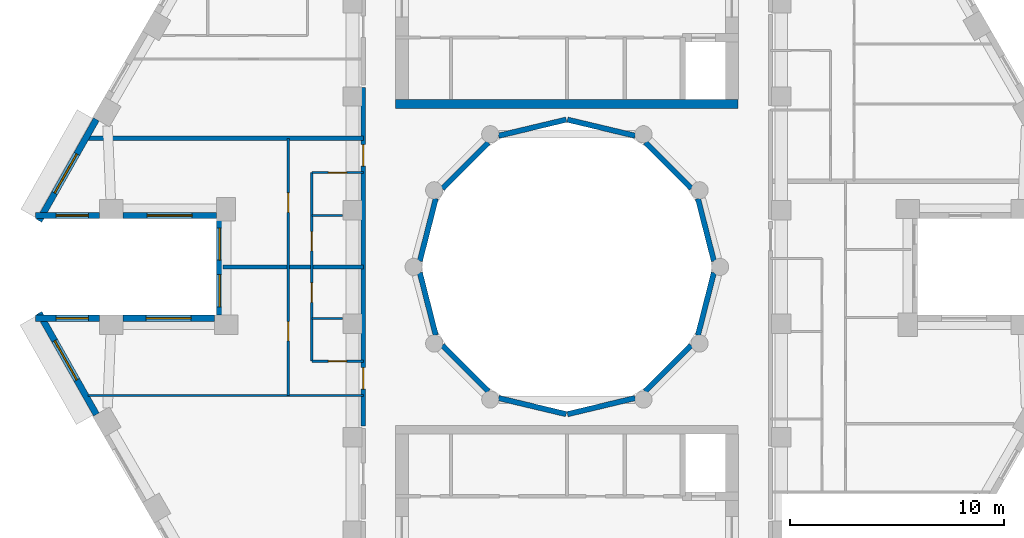
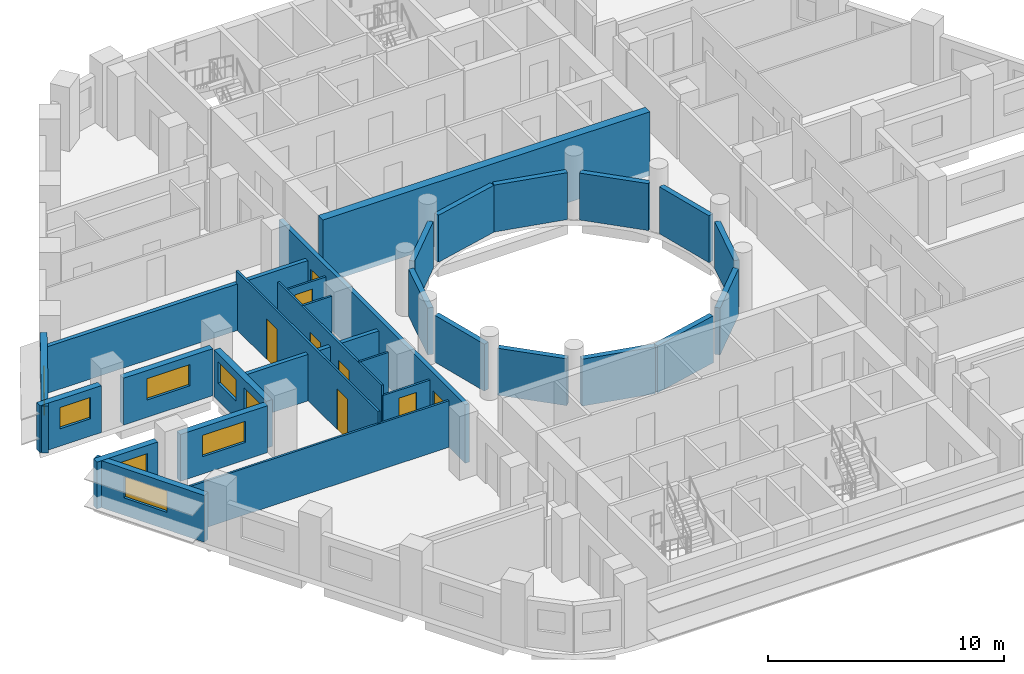
# One storey, part 4 of 12: 30 walls, 8 doors, 8 windows, 16 openings.
"""IFC4 building model written with IfcOpenShell, lengths in metres."""

from ifc_helpers import new_model, si_unit, direction, frame, frame_2d, origin, place, context, subcontext, project, spatial, rectangle, extrude, material, layer, layer_set, type_object, element, fill, save


model = new_model("IFC4")

# Units and contexts
model_context = context("Model", 3, precision=1e-05, world=origin(), true_north=direction((0.0, 1.0)))
body_context = subcontext(model_context, "Body", "Model", "MODEL_VIEW")
ifc_project = project(units=[si_unit("LENGTHUNIT", "METRE"), si_unit("AREAUNIT", "SQUARE_METRE"), si_unit("VOLUMEUNIT", "CUBIC_METRE"), si_unit("PLANEANGLEUNIT", "RADIAN"), si_unit("MASSUNIT", "GRAM", prefix="KILO")], contexts=[model_context])

# Site, building, storey
site_placement = place(None, origin())
site = spatial("IfcSite", under=ifc_project, at=site_placement, CompositionType="ELEMENT")
building_placement = place(site_placement, origin())
building = spatial("IfcBuilding", under=site, at=building_placement, Name="Nakaniwa Court", CompositionType="ELEMENT")
storey_placement = place(building_placement, frame((0.0, 0.0, 255.89990234375)))
storey = spatial("IfcBuildingStorey", under=building, at=storey_placement, Name="L67", CompositionType="ELEMENT", Elevation=255.89990234375)

# Wall, openings, doors
ifc_material_1 = material(Name="Acoustic double stud partition")
ifc_layer_1 = layer(ifc_material_1, 0.199951171875)
ifc_layer_set_1 = layer_set([ifc_layer_1], Name="Acoustic double stud partition")
wall_type_1 = type_object("IfcWallType", Name="Acoustic double stud partition 200", PredefinedType="PARTITIONING", material=ifc_layer_set_1)
wall_1_placement = place(storey_placement, frame((70.5, 72.576904296875, 0.0), z_axis=(0.0, 0.0, 1.0), x_axis=(0.0, 1.0, 0.0)))
wall_1 = element("IfcWall", 1, at=wall_1_placement, inside=storey, type_object=wall_type_1, Name="Partition PW-091", PredefinedType="PARTITIONING", context=body_context, shape_type="SweptSolid", body=[
    extrude(rectangle(XDim=15.7861328125, YDim=0.199951171875, at=frame_2d((7.89306640625, 0.0))), origin(), (0.0, 0.0, 1.0), 3.025146484375),
])
opening_1_placement = place(wall_1_placement, frame((1.722900390625, 0.0, 0.0)))
opening_1 = element("IfcOpeningElement", 2, at=opening_1_placement, cuts=wall_1, Name="Opening D-01-03", PredefinedType="OPENING", context=body_context, shape_type="SweptSolid", body=[
    extrude(rectangle(XDim=1.0, YDim=2.10009765625, at=frame_2d((0.5, 1.050048828125))), frame((0.0, 0.10986328125, 0.0), z_axis=(0.0, -1.0, 0.0), x_axis=(1.0, 0.0, 0.0)), (0.0, 0.0, 1.0), 0.219970703125),
])
opening_2_placement = place(wall_1_placement, frame((12.123046875, 0.0, 0.0)))
opening_2 = element("IfcOpeningElement", 3, at=opening_2_placement, cuts=wall_1, Name="Opening D-01-04", PredefinedType="OPENING", context=body_context, shape_type="SweptSolid", body=[
    extrude(rectangle(XDim=1.0, YDim=2.10009765625, at=frame_2d((0.5, 1.050048828125))), frame((0.0, 0.10986328125, 0.0), z_axis=(0.0, -1.0, 0.0), x_axis=(1.0, 0.0, 0.0)), (0.0, 0.0, 1.0), 0.219970703125),
])
ifc_material_2 = material(Name="Solid core timber door set, black veneer", Category="wood")
door_type_1 = type_object("IfcDoorType", Name="Flat entrance door 1000", OperationType="NOTDEFINED", PredefinedType="DOOR", material=ifc_material_2)
door_1_placement = place(opening_1_placement, origin())
door_1 = element("IfcDoor", 4, at=door_1_placement, inside=storey, type_object=door_type_1, Name="Door D-01-03 L67-047", OperationType="SINGLE_SWING_RIGHT", OverallHeight=2.10009765625, OverallWidth=1.0, PredefinedType="DOOR", context=body_context, shape_type="SweptSolid", body=[
    extrude(rectangle(XDim=1.0, YDim=2.10009765625, at=frame_2d((0.5, 1.050048828125))), frame((0.0, 0.02490234375, 0.0), z_axis=(0.0, -1.0, 0.0), x_axis=(1.0, 0.0, 0.0)), (0.0, 0.0, 1.0), 0.050048828125),
])
fill(opening_1, door_1)
door_2_placement = place(opening_2_placement, origin())
door_2 = element("IfcDoor", 5, at=door_2_placement, inside=storey, type_object=door_type_1, Name="Door D-01-04 L67-051", OperationType="SINGLE_SWING_RIGHT", OverallHeight=2.10009765625, OverallWidth=1.0, PredefinedType="DOOR", context=body_context, shape_type="SweptSolid", body=[
    extrude(rectangle(XDim=1.0, YDim=2.10009765625, at=frame_2d((0.5, 1.050048828125))), frame((0.0, 0.02490234375, 0.0), z_axis=(0.0, -1.0, 0.0), x_axis=(1.0, 0.0, 0.0)), (0.0, 0.0, 1.0), 0.050048828125),
])
fill(opening_2, door_2)

# Walls
wall_2_placement = place(storey_placement, frame((63.950439453125, 80.0, 0.0), z_axis=(0.0, 0.0, 1.0), x_axis=(1.0, 0.0, 0.0)))
element("IfcWall", 6, at=wall_2_placement, inside=storey, type_object=wall_type_1, Name="Partition PW-116", PredefinedType="PARTITIONING", context=body_context, shape_type="SweptSolid", body=[
    extrude(rectangle(XDim=6.549560546875, YDim=0.199951171875, at=frame_2d((3.27490234375, 0.0))), origin(), (0.0, 0.0, 1.0), 2.405029296875),
])
wall_3_placement = place(storey_placement, frame((57.656494140625, 86.0, 0.0), z_axis=(0.0, 0.0, 1.0), x_axis=(1.0, 0.0, 0.0)))
element("IfcWall", 7, at=wall_3_placement, inside=storey, type_object=wall_type_1, Name="Partition PW-120", PredefinedType="PARTITIONING", context=body_context, shape_type="SweptSolid", body=[
    extrude(rectangle(XDim=12.843505859375, YDim=0.199951171875, at=frame_2d((6.421875, 0.0))), origin(), (0.0, 0.0, 1.0), 2.405029296875),
])

# Wall, opening, window
ifc_material_3 = material(Name="Charcoal ceramic cladding")
ifc_layer_2 = layer(ifc_material_3, 0.02, Name="Ceramic cladding")
ifc_material_4 = material(Name="Ventilated air cavity")
ifc_layer_3 = layer(ifc_material_4, 0.04, ventilated=True, Name="Ventilated cavity")
ifc_material_5 = material(Name="Mineral wool insulation")
ifc_layer_4 = layer(ifc_material_5, 0.1, Name="Insulation")
ifc_material_6 = material(Name="Cement bonded sheathing board")
ifc_layer_5 = layer(ifc_material_6, 0.012, Name="Sheathing")
ifc_material_7 = material(Name="Cold-formed galvanised stud frame with mineral wool infill")
ifc_layer_6 = layer(ifc_material_7, 0.1, Name="Stud frame")
ifc_material_8 = material(Name="Fire-rated gypsum plasterboard lining")
ifc_layer_7 = layer(ifc_material_8, 0.028, Name="Lining")
ifc_layer_set_2 = layer_set([ifc_layer_2, ifc_layer_3, ifc_layer_4, ifc_layer_5, ifc_layer_6, ifc_layer_7], Name="Charcoal ceramic faced external wall system")
wall_type_2 = type_object("IfcWallType", Name="Black ceramic faced external wall 300", PredefinedType="SOLIDWALL", material=ifc_layer_set_2)
wall_4_placement = place(storey_placement, frame((58.048095703125, 86.886474609375, 0.0), z_axis=(0.0, 0.0, 1.0), x_axis=(-0.492080931903, -0.870549456641, 0.0)))
wall_4 = element("IfcWall", 8, at=wall_4_placement, inside=storey, type_object=wall_type_2, Name="L67 external wall 14", PredefinedType="SOLIDWALL", context=body_context, shape_type="SweptSolid", body=[
    extrude(rectangle(XDim=5.436767578125, YDim=0.300048828125, at=frame_2d((2.71826171875, 0.0))), origin(), (0.0, 0.0, 1.0), 2.425048828125),
])
opening_3_placement = place(wall_4_placement, frame((1.853759765625, 0.0, 0.89990234375)))
opening_3 = element("IfcOpeningElement", 9, at=opening_3_placement, cuts=wall_4, Name="Opening W7.15", PredefinedType="OPENING", context=body_context, shape_type="SweptSolid", body=[
    extrude(rectangle(XDim=2.10009765625, YDim=1.10009765625, at=frame_2d((1.050048828125, 0.550048828125))), frame((0.0, 0.159912109375, 0.0), z_axis=(0.0, -1.0, 0.0), x_axis=(1.0, 0.0, 0.0)), (0.0, 0.0, 1.0), 0.320068359375),
])
ifc_material_9 = material(Name="Black anodised aluminium frame with dark low-E laminated double glazing", Category="aluminium")
window_type_1 = type_object("IfcWindowType", Name="Dark glass window 2100x1100 sill 900", PartitioningType="SINGLE_PANEL", PredefinedType="WINDOW", material=ifc_material_9)
window_1_placement = place(opening_3_placement, origin())
window_1 = element("IfcWindow", 10, at=window_1_placement, inside=storey, type_object=window_type_1, Name="L67 living window 14-1", OverallHeight=1.10009765625, OverallWidth=2.10009765625, PartitioningType="SINGLE_PANEL", PredefinedType="WINDOW", context=body_context, shape_type="SweptSolid", body=[
    extrude(rectangle(XDim=2.10009765625, YDim=1.10009765625, at=frame_2d((1.050048828125, 0.550048828125))), frame((0.0, 0.030029296875, 0.0), z_axis=(0.0, -1.0, 0.0), x_axis=(1.0, 0.0, 0.0)), (0.0, 0.0, 1.0), 0.06005859375),
])
fill(opening_3, window_1)

wall_5_placement = place(storey_placement, frame((55.2021484375, 82.39990234375, 0.0), z_axis=(0.0, 0.0, 1.0), x_axis=(1.0, 0.0, 0.0)))
wall_5 = element("IfcWall", 11, at=wall_5_placement, inside=storey, type_object=wall_type_2, Name="L67 external wall 15", PredefinedType="SOLIDWALL", context=body_context, shape_type="SweptSolid", body=[
    extrude(rectangle(XDim=2.98779296875, YDim=0.300048828125, at=frame_2d((1.493896484375, 0.0))), origin(), (0.0, 0.0, 1.0), 2.425048828125),
])
opening_4_placement = place(wall_5_placement, frame((0.968994140625, 0.0, 0.89990234375)))
opening_4 = element("IfcOpeningElement", 12, at=opening_4_placement, cuts=wall_5, Name="Opening W5.16", PredefinedType="OPENING", context=body_context, shape_type="SweptSolid", body=[
    extrude(rectangle(XDim=1.5, YDim=1.10009765625, at=frame_2d((0.75, 0.550048828125))), frame((0.0, 0.159912109375, 0.0), z_axis=(0.0, -1.0, 0.0), x_axis=(1.0, 0.0, 0.0)), (0.0, 0.0, 1.0), 0.320068359375),
])
window_type_2 = type_object("IfcWindowType", Name="Dark glass window 1500x1100 sill 900", PartitioningType="SINGLE_PANEL", PredefinedType="WINDOW", material=ifc_material_9)
window_2_placement = place(opening_4_placement, origin())
window_2 = element("IfcWindow", 13, at=window_2_placement, inside=storey, type_object=window_type_2, Name="L67 living window 15-0", OverallHeight=1.10009765625, OverallWidth=1.5, PartitioningType="SINGLE_PANEL", PredefinedType="WINDOW", context=body_context, shape_type="SweptSolid", body=[
    extrude(rectangle(XDim=1.5, YDim=1.10009765625, at=frame_2d((0.75, 0.550048828125))), frame((0.0, 0.030029296875, 0.0), z_axis=(0.0, -1.0, 0.0), x_axis=(1.0, 0.0, 0.0)), (0.0, 0.0, 1.0), 0.06005859375),
])
fill(opening_4, window_2)

wall_6_placement = place(storey_placement, frame((59.281982421875, 82.39990234375, 0.0), z_axis=(0.0, 0.0, 1.0), x_axis=(1.0, 0.0, 0.0)))
wall_6 = element("IfcWall", 14, at=wall_6_placement, inside=storey, type_object=wall_type_2, Name="L67 external wall 16", PredefinedType="SOLIDWALL", context=body_context, shape_type="SweptSolid", body=[
    extrude(rectangle(XDim=4.37255859375, YDim=0.300048828125, at=frame_2d((2.186279296875, 0.0))), origin(), (0.0, 0.0, 1.0), 2.425048828125),
])
opening_5_placement = place(wall_6_placement, frame((1.13623046875, 0.0, 0.89990234375)))
opening_5 = element("IfcOpeningElement", 15, at=opening_5_placement, cuts=wall_6, Name="Opening W7.17", PredefinedType="OPENING", context=body_context, shape_type="SweptSolid", body=[
    extrude(rectangle(XDim=2.10009765625, YDim=1.10009765625, at=frame_2d((1.050048828125, 0.550048828125))), frame((0.0, 0.159912109375, 0.0), z_axis=(0.0, -1.0, 0.0), x_axis=(1.0, 0.0, 0.0)), (0.0, 0.0, 1.0), 0.320068359375),
])
window_3_placement = place(opening_5_placement, origin())
window_3 = element("IfcWindow", 16, at=window_3_placement, inside=storey, type_object=window_type_1, Name="L67 living window 16-0", OverallHeight=1.10009765625, OverallWidth=2.10009765625, PartitioningType="SINGLE_PANEL", PredefinedType="WINDOW", context=body_context, shape_type="SweptSolid", body=[
    extrude(rectangle(XDim=2.10009765625, YDim=1.10009765625, at=frame_2d((1.050048828125, 0.550048828125))), frame((0.0, 0.030029296875, 0.0), z_axis=(0.0, -1.0, 0.0), x_axis=(1.0, 0.0, 0.0)), (0.0, 0.0, 1.0), 0.06005859375),
])
fill(opening_5, window_3)

# Wall, openings, windows
wall_7_placement = place(storey_placement, frame((63.800537109375, 82.154052734375, 0.0), z_axis=(0.0, 0.0, 1.0), x_axis=(0.0, -1.0, 0.0)))
wall_7 = element("IfcWall", 17, at=wall_7_placement, inside=storey, type_object=wall_type_2, Name="L67 external wall 17", PredefinedType="SOLIDWALL", context=body_context, shape_type="SweptSolid", body=[
    extrude(rectangle(XDim=4.407958984375, YDim=0.300048828125, at=frame_2d((2.2041015625, 0.0))), origin(), (0.0, 0.0, 1.0), 2.425048828125),
])
opening_6_placement = place(wall_7_placement, frame((0.339111328125, 0.0, 0.89990234375)))
opening_6 = element("IfcOpeningElement", 18, at=opening_6_placement, cuts=wall_7, Name="Opening W5.18", PredefinedType="OPENING", context=body_context, shape_type="SweptSolid", body=[
    extrude(rectangle(XDim=1.5, YDim=1.10009765625, at=frame_2d((0.75, 0.550048828125))), frame((0.0, 0.159912109375, 0.0), z_axis=(0.0, -1.0, 0.0), x_axis=(1.0, 0.0, 0.0)), (0.0, 0.0, 1.0), 0.320068359375),
])
opening_7_placement = place(wall_7_placement, frame((2.51904296875, 0.0, 0.89990234375)))
opening_7 = element("IfcOpeningElement", 19, at=opening_7_placement, cuts=wall_7, Name="Opening W5.19", PredefinedType="OPENING", context=body_context, shape_type="SweptSolid", body=[
    extrude(rectangle(XDim=1.5, YDim=1.10009765625, at=frame_2d((0.75, 0.550048828125))), frame((0.0, 0.159912109375, 0.0), z_axis=(0.0, -1.0, 0.0), x_axis=(1.0, 0.0, 0.0)), (0.0, 0.0, 1.0), 0.320068359375),
])
window_4_placement = place(opening_6_placement, origin())
window_4 = element("IfcWindow", 20, at=window_4_placement, inside=storey, type_object=window_type_2, Name="L67 living window 17-0", OverallHeight=1.10009765625, OverallWidth=1.5, PartitioningType="SINGLE_PANEL", PredefinedType="WINDOW", context=body_context, shape_type="SweptSolid", body=[
    extrude(rectangle(XDim=1.5, YDim=1.10009765625, at=frame_2d((0.75, 0.550048828125))), frame((0.0, 0.030029296875, 0.0), z_axis=(0.0, -1.0, 0.0), x_axis=(1.0, 0.0, 0.0)), (0.0, 0.0, 1.0), 0.06005859375),
])
fill(opening_6, window_4)
window_5_placement = place(opening_7_placement, origin())
window_5 = element("IfcWindow", 21, at=window_5_placement, inside=storey, type_object=window_type_2, Name="L67 living window 17-1", OverallHeight=1.10009765625, OverallWidth=1.5, PartitioningType="SINGLE_PANEL", PredefinedType="WINDOW", context=body_context, shape_type="SweptSolid", body=[
    extrude(rectangle(XDim=1.5, YDim=1.10009765625, at=frame_2d((0.75, 0.550048828125))), frame((0.0, 0.030029296875, 0.0), z_axis=(0.0, -1.0, 0.0), x_axis=(1.0, 0.0, 0.0)), (0.0, 0.0, 1.0), 0.06005859375),
])
fill(opening_7, window_5)

# Wall, opening, window
wall_8_placement = place(storey_placement, frame((63.554443359375, 77.60009765625, 0.0), z_axis=(0.0, 0.0, 1.0), x_axis=(-1.0, 0.0, 0.0)))
wall_8 = element("IfcWall", 22, at=wall_8_placement, inside=storey, type_object=wall_type_2, Name="L67 external wall 18", PredefinedType="SOLIDWALL", context=body_context, shape_type="SweptSolid", body=[
    extrude(rectangle(XDim=4.2724609375, YDim=0.300048828125, at=frame_2d((2.13623046875, 0.0))), origin(), (0.0, 0.0, 1.0), 2.425048828125),
])
opening_8_placement = place(wall_8_placement, frame((1.086181640625, 0.0, 0.89990234375)))
opening_8 = element("IfcOpeningElement", 23, at=opening_8_placement, cuts=wall_8, Name="Opening W7.20", PredefinedType="OPENING", context=body_context, shape_type="SweptSolid", body=[
    extrude(rectangle(XDim=2.10009765625, YDim=1.10009765625, at=frame_2d((1.050048828125, 0.550048828125))), frame((0.0, 0.159912109375, 0.0), z_axis=(0.0, -1.0, 0.0), x_axis=(1.0, 0.0, 0.0)), (0.0, 0.0, 1.0), 0.320068359375),
])
window_6_placement = place(opening_8_placement, origin())
window_6 = element("IfcWindow", 24, at=window_6_placement, inside=storey, type_object=window_type_1, Name="L67 living window 18-0", OverallHeight=1.10009765625, OverallWidth=2.10009765625, PartitioningType="SINGLE_PANEL", PredefinedType="WINDOW", context=body_context, shape_type="SweptSolid", body=[
    extrude(rectangle(XDim=2.10009765625, YDim=1.10009765625, at=frame_2d((1.050048828125, 0.550048828125))), frame((0.0, 0.030029296875, 0.0), z_axis=(0.0, -1.0, 0.0), x_axis=(1.0, 0.0, 0.0)), (0.0, 0.0, 1.0), 0.06005859375),
])
fill(opening_8, window_6)

wall_9_placement = place(storey_placement, frame((58.18994140625, 77.60009765625, 0.0), z_axis=(0.0, 0.0, 1.0), x_axis=(-1.0, 0.0, 0.0)))
wall_9 = element("IfcWall", 25, at=wall_9_placement, inside=storey, type_object=wall_type_2, Name="L67 external wall 19", PredefinedType="SOLIDWALL", context=body_context, shape_type="SweptSolid", body=[
    extrude(rectangle(XDim=2.98779296875, YDim=0.300048828125, at=frame_2d((1.493896484375, 0.0))), origin(), (0.0, 0.0, 1.0), 2.425048828125),
])
opening_9_placement = place(wall_9_placement, frame((0.51904296875, 0.0, 0.89990234375)))
opening_9 = element("IfcOpeningElement", 26, at=opening_9_placement, cuts=wall_9, Name="Opening W5.21", PredefinedType="OPENING", context=body_context, shape_type="SweptSolid", body=[
    extrude(rectangle(XDim=1.5, YDim=1.10009765625, at=frame_2d((0.75, 0.550048828125))), frame((0.0, 0.159912109375, 0.0), z_axis=(0.0, -1.0, 0.0), x_axis=(1.0, 0.0, 0.0)), (0.0, 0.0, 1.0), 0.320068359375),
])
window_7_placement = place(opening_9_placement, origin())
window_7 = element("IfcWindow", 27, at=window_7_placement, inside=storey, type_object=window_type_2, Name="L67 living window 19-0", OverallHeight=1.10009765625, OverallWidth=1.5, PartitioningType="SINGLE_PANEL", PredefinedType="WINDOW", context=body_context, shape_type="SweptSolid", body=[
    extrude(rectangle(XDim=1.5, YDim=1.10009765625, at=frame_2d((0.75, 0.550048828125))), frame((0.0, 0.030029296875, 0.0), z_axis=(0.0, -1.0, 0.0), x_axis=(1.0, 0.0, 0.0)), (0.0, 0.0, 1.0), 0.06005859375),
])
fill(opening_9, window_7)

wall_10_placement = place(storey_placement, frame((55.372802734375, 77.846435546875, 0.0), z_axis=(0.0, 0.0, 1.0), x_axis=(0.492080931903, -0.870549456641, 0.0)))
wall_10 = element("IfcWall", 28, at=wall_10_placement, inside=storey, type_object=wall_type_2, Name="L67 external wall 20", PredefinedType="SOLIDWALL", context=body_context, shape_type="SweptSolid", body=[
    extrude(rectangle(XDim=5.436767578125, YDim=0.300048828125, at=frame_2d((2.71826171875, 0.0))), origin(), (0.0, 0.0, 1.0), 2.425048828125),
])
opening_10_placement = place(wall_10_placement, frame((1.483154296875, 0.0, 0.89990234375)))
opening_10 = element("IfcOpeningElement", 29, at=opening_10_placement, cuts=wall_10, Name="Opening W7.22", PredefinedType="OPENING", context=body_context, shape_type="SweptSolid", body=[
    extrude(rectangle(XDim=2.10009765625, YDim=1.10009765625, at=frame_2d((1.050048828125, 0.550048828125))), frame((0.0, 0.159912109375, 0.0), z_axis=(0.0, -1.0, 0.0), x_axis=(1.0, 0.0, 0.0)), (0.0, 0.0, 1.0), 0.320068359375),
])
window_8_placement = place(opening_10_placement, origin())
window_8 = element("IfcWindow", 30, at=window_8_placement, inside=storey, type_object=window_type_1, Name="L67 living window 20-0", OverallHeight=1.10009765625, OverallWidth=2.10009765625, PartitioningType="SINGLE_PANEL", PredefinedType="WINDOW", context=body_context, shape_type="SweptSolid", body=[
    extrude(rectangle(XDim=2.10009765625, YDim=1.10009765625, at=frame_2d((1.050048828125, 0.550048828125))), frame((0.0, 0.030029296875, 0.0), z_axis=(0.0, -1.0, 0.0), x_axis=(1.0, 0.0, 0.0)), (0.0, 0.0, 1.0), 0.06005859375),
])
fill(opening_10, window_8)

# Walls
ifc_layer_8 = layer(ifc_material_3, 0.02, Name="Ceramic cladding")
ifc_layer_9 = layer(ifc_material_4, 0.04, ventilated=True, Name="Ventilated cavity")
ifc_layer_10 = layer(ifc_material_5, 0.075, Name="Insulation")
ifc_layer_11 = layer(ifc_material_6, 0.012, Name="Sheathing")
ifc_layer_12 = layer(ifc_material_7, 0.075, Name="Stud frame")
ifc_layer_13 = layer(ifc_material_8, 0.028, Name="Lining")
ifc_layer_set_3 = layer_set([ifc_layer_8, ifc_layer_9, ifc_layer_10, ifc_layer_11, ifc_layer_12, ifc_layer_13], Name="Charcoal ceramic faced external wall system")
wall_type_3 = type_object("IfcWallType", Name="Charcoal ceramic faced well wall 250", PredefinedType="SOLIDWALL", material=ifc_layer_set_3)
wall_11_placement = place(storey_placement, frame((86.8603515625, 79.72998046875, 0.0), z_axis=(0.0, 0.0, 1.0), x_axis=(-0.247055971283, -0.969001211069, 0.0)))
element("IfcWall", 31, at=wall_11_placement, inside=storey, type_object=wall_type_3, Name="L67 external wall 36", PredefinedType="SOLIDWALL", context=body_context, shape_type="SweptSolid", body=[
    extrude(rectangle(XDim=3.010009765625, YDim=0.25, at=frame_2d((1.5048828125, 0.0))), origin(), (0.0, 0.0, 1.0), 2.425048828125),
])
wall_12_placement = place(storey_placement, frame((85.8056640625, 76.339111328125, 0.0), z_axis=(0.0, 0.0, 1.0), x_axis=(-0.707106781187, -0.707106781187, 0.0)))
element("IfcWall", 32, at=wall_12_placement, inside=storey, type_object=wall_type_3, Name="L67 external wall 37", PredefinedType="SOLIDWALL", context=body_context, shape_type="SweptSolid", body=[
    extrude(rectangle(XDim=3.033203125, YDim=0.25, at=frame_2d((1.5166015625, 0.0))), origin(), (0.0, 0.0, 1.0), 2.425048828125),
])
for number, where, z_axis, x_axis, name in (
    (33, (83.186279296875, 73.880615234375, 0.0), (0.0, 0.0, 1.0), (-0.972773113459, -0.231759508395, 0.0), "L67 external wall 38"),
    (34, (79.970947265625, 73.12841796875, 0.0), (0.0, 0.0, 1.0), (-0.972773113459, 0.231759508395, 0.0), "L67 external wall 39"),
):
    element("IfcWall", number, at=place(storey_placement, frame(where, z_axis=z_axis, x_axis=x_axis)), inside=storey, type_object=wall_type_3, Name=name, PredefinedType="SOLIDWALL", context=body_context, shape_type="SweptSolid", body=[
        extrude(rectangle(XDim=3.24560546875, YDim=0.25, at=frame_2d((1.622802734375, 0.0))), origin(), (0.0, 0.0, 1.0), 2.425048828125),
    ])
wall_13_placement = place(storey_placement, frame((76.339111328125, 74.1943359375, 0.0), z_axis=(0.0, 0.0, 1.0), x_axis=(-0.707106781187, 0.707106781187, 0.0)))
element("IfcWall", 35, at=wall_13_placement, inside=storey, type_object=wall_type_3, Name="L67 external wall 40", PredefinedType="SOLIDWALL", context=body_context, shape_type="SweptSolid", body=[
    extrude(rectangle(XDim=3.033203125, YDim=0.25, at=frame_2d((1.5166015625, 0.0))), origin(), (0.0, 0.0, 1.0), 2.425048828125),
])
for number, where, z_axis, x_axis, name in (
    (36, (73.88330078125, 76.813232421875, 0.0), (0.0, 0.0, 1.0), (-0.247055971283, 0.969001211069, 0.0), "L67 external wall 41"),
    (37, (73.1396484375, 80.27001953125, 0.0), (0.0, 0.0, 1.0), (0.247055971283, 0.969001211069, 0.0), "L67 external wall 42"),
):
    element("IfcWall", number, at=place(storey_placement, frame(where, z_axis=z_axis, x_axis=x_axis)), inside=storey, type_object=wall_type_3, Name=name, PredefinedType="SOLIDWALL", context=body_context, shape_type="SweptSolid", body=[
        extrude(rectangle(XDim=3.010009765625, YDim=0.25, at=frame_2d((1.5048828125, 0.0))), origin(), (0.0, 0.0, 1.0), 2.425048828125),
    ])
wall_14_placement = place(storey_placement, frame((74.1943359375, 83.660888671875, 0.0), z_axis=(0.0, 0.0, 1.0), x_axis=(0.707106781187, 0.707106781187, 0.0)))
element("IfcWall", 38, at=wall_14_placement, inside=storey, type_object=wall_type_3, Name="L67 external wall 43", PredefinedType="SOLIDWALL", context=body_context, shape_type="SweptSolid", body=[
    extrude(rectangle(XDim=3.033203125, YDim=0.25, at=frame_2d((1.5166015625, 0.0))), origin(), (0.0, 0.0, 1.0), 2.425048828125),
])
for number, where, z_axis, x_axis, name in (
    (39, (76.813720703125, 86.119384765625, 0.0), (0.0, 0.0, 1.0), (0.972773113459, 0.231759508395, 0.0), "L67 external wall 44"),
    (40, (80.029052734375, 86.87158203125, 0.0), (0.0, 0.0, 1.0), (0.972773113459, -0.231759508395, 0.0), "L67 external wall 45"),
):
    element("IfcWall", number, at=place(storey_placement, frame(where, z_axis=z_axis, x_axis=x_axis)), inside=storey, type_object=wall_type_3, Name=name, PredefinedType="SOLIDWALL", context=body_context, shape_type="SweptSolid", body=[
        extrude(rectangle(XDim=3.24560546875, YDim=0.25, at=frame_2d((1.622802734375, 0.0))), origin(), (0.0, 0.0, 1.0), 2.425048828125),
    ])
wall_15_placement = place(storey_placement, frame((83.660888671875, 85.8056640625, 0.0), z_axis=(0.0, 0.0, 1.0), x_axis=(0.707106781187, -0.707106781187, 0.0)))
element("IfcWall", 41, at=wall_15_placement, inside=storey, type_object=wall_type_3, Name="L67 external wall 46", PredefinedType="SOLIDWALL", context=body_context, shape_type="SweptSolid", body=[
    extrude(rectangle(XDim=3.033203125, YDim=0.25, at=frame_2d((1.5166015625, 0.0))), origin(), (0.0, 0.0, 1.0), 2.425048828125),
])
wall_16_placement = place(storey_placement, frame((86.11669921875, 83.186767578125, 0.0), z_axis=(0.0, 0.0, 1.0), x_axis=(0.247055971283, -0.969001211069, 0.0)))
element("IfcWall", 42, at=wall_16_placement, inside=storey, type_object=wall_type_3, Name="L67 external wall 47", PredefinedType="SOLIDWALL", context=body_context, shape_type="SweptSolid", body=[
    extrude(rectangle(XDim=3.010009765625, YDim=0.25, at=frame_2d((1.5048828125, 0.0))), origin(), (0.0, 0.0, 1.0), 2.425048828125),
])
ifc_material_10 = material(Name="Concrete C80/100", Category="concrete")
ifc_layer_14 = layer(ifc_material_10, 0.39990234375)
ifc_layer_set_4 = layer_set([ifc_layer_14], Name="Concrete C80/100")
wall_type_4 = type_object("IfcWallType", Name="Concrete core well wall 400 C80", PredefinedType="SHEAR", material=ifc_layer_set_4)
wall_17_placement = place(storey_placement, frame((72.00390625, 87.60009765625, -0.27490234375), z_axis=(0.0, 0.0, 1.0), x_axis=(1.0, 0.0, 0.0)))
element("IfcWall", 43, at=wall_17_placement, inside=storey, type_object=wall_type_4, Name="Core wall SW-125", PredefinedType="SHEAR", context=body_context, shape_type="SweptSolid", body=[
    extrude(rectangle(XDim=15.9921875, YDim=0.39990234375, at=frame_2d((7.99609375, 0.0))), origin(), (0.0, 0.0, 1.0), 3.300048828125),
])
ifc_material_11 = material(Name="Single stud plasterboard partition")
ifc_layer_15 = layer(ifc_material_11, 0.10009765625)
ifc_layer_set_5 = layer_set([ifc_layer_15], Name="Single stud plasterboard partition")
wall_type_5 = type_object("IfcWallType", Name="Single stud plasterboard partition 100", PredefinedType="PARTITIONING", material=ifc_layer_set_5)
wall_18_placement = place(storey_placement, frame((57.656494140625, 74.0, 0.0), z_axis=(0.0, 0.0, 1.0), x_axis=(1.0, 0.0, 0.0)))
element("IfcWall", 44, at=wall_18_placement, inside=storey, type_object=wall_type_5, Name="Partition PW-112", PredefinedType="PARTITIONING", context=body_context, shape_type="SweptSolid", body=[
    extrude(rectangle(XDim=12.843505859375, YDim=0.10009765625, at=frame_2d((6.421875, 0.0))), origin(), (0.0, 0.0, 1.0), 2.405029296875),
])
wall_19_placement = place(storey_placement, frame((68.10009765625, 77.60009765625, 0.0), z_axis=(0.0, 0.0, 1.0), x_axis=(1.0, 0.0, 0.0)))
element("IfcWall", 45, at=wall_19_placement, inside=storey, type_object=wall_type_5, Name="Partition PW-113", PredefinedType="PARTITIONING", context=body_context, shape_type="SweptSolid", body=[
    extrude(rectangle(XDim=1.429931640625, YDim=0.10009765625, at=frame_2d((0.71484375, 0.0))), origin(), (0.0, 0.0, 1.0), 3.025146484375),
])

# Wall, opening, door
wall_20_placement = place(storey_placement, frame((68.10009765625, 75.60009765625, 0.0), z_axis=(0.0, 0.0, 1.0), x_axis=(1.0, 0.0, 0.0)))
wall_20 = element("IfcWall", 46, at=wall_20_placement, inside=storey, type_object=wall_type_5, Name="Partition PW-114", PredefinedType="PARTITIONING", context=body_context, shape_type="SweptSolid", body=[
    extrude(rectangle(XDim=2.39990234375, YDim=0.10009765625, at=frame_2d((1.199951171875, 0.0))), origin(), (0.0, 0.0, 1.0), 2.505126953125),
])
opening_11_placement = place(wall_20_placement, frame((0.77490234375, 0.0, 0.0)))
opening_11 = element("IfcOpeningElement", 47, at=opening_11_placement, cuts=wall_20, Name="Opening D-03-04", PredefinedType="OPENING", context=body_context, shape_type="SweptSolid", body=[
    extrude(rectangle(XDim=0.85009765625, YDim=2.10009765625, at=frame_2d((0.425048828125, 1.050048828125))), frame((0.0, 0.06005859375, 0.0), z_axis=(0.0, -1.0, 0.0), x_axis=(1.0, 0.0, 0.0)), (0.0, 0.0, 1.0), 0.1201171875),
])
ifc_material_12 = material(Name="Moisture sealed timber door set", Category="wood")
door_type_2 = type_object("IfcDoorType", Name="Bathroom door 850", OperationType="NOTDEFINED", PredefinedType="DOOR", material=ifc_material_12)
door_3_placement = place(opening_11_placement, origin())
door_3 = element("IfcDoor", 48, at=door_3_placement, inside=storey, type_object=door_type_2, Name="Door D-03-04 L67-048", OperationType="SINGLE_SWING_LEFT", OverallHeight=2.10009765625, OverallWidth=0.85009765625, PredefinedType="DOOR", context=body_context, shape_type="SweptSolid", body=[
    extrude(rectangle(XDim=0.85009765625, YDim=2.10009765625, at=frame_2d((0.425048828125, 1.050048828125))), frame((0.0, 0.02490234375, 0.0), z_axis=(0.0, -1.0, 0.0), x_axis=(1.0, 0.0, 0.0)), (0.0, 0.0, 1.0), 0.050048828125),
])
fill(opening_11, door_3)

# Wall, openings, doors
wall_21_placement = place(storey_placement, frame((68.10009765625, 84.39990234375, 0.0), z_axis=(0.0, 0.0, 1.0), x_axis=(0.0, -1.0, 0.0)))
wall_21 = element("IfcWall", 49, at=wall_21_placement, inside=storey, type_object=wall_type_5, Name="Partition PW-115", PredefinedType="PARTITIONING", context=body_context, shape_type="SweptSolid", body=[
    extrude(rectangle(XDim=8.7998046875, YDim=0.10009765625, at=frame_2d((4.39990234375, 0.0))), origin(), (0.0, 0.0, 1.0), 3.025146484375),
])
opening_12_placement = place(wall_21_placement, frame((5.14990234375, 0.0, 0.0)))
opening_12 = element("IfcOpeningElement", 50, at=opening_12_placement, cuts=wall_21, Name="Opening D-33-10", PredefinedType="OPENING", context=body_context, shape_type="SweptSolid", body=[
    extrude(rectangle(XDim=0.89990234375, YDim=2.10009765625, at=frame_2d((0.449951171875, 1.050048828125))), frame((0.0, 0.06005859375, 0.0), z_axis=(0.0, -1.0, 0.0), x_axis=(1.0, 0.0, 0.0)), (0.0, 0.0, 1.0), 0.1201171875),
])
opening_13_placement = place(wall_21_placement, frame((2.75, 0.0, 0.0)))
opening_13 = element("IfcOpeningElement", 51, at=opening_13_placement, cuts=wall_21, Name="Opening D-33-12", PredefinedType="OPENING", context=body_context, shape_type="SweptSolid", body=[
    extrude(rectangle(XDim=0.89990234375, YDim=2.10009765625, at=frame_2d((0.449951171875, 1.050048828125))), frame((0.0, 0.06005859375, 0.0), z_axis=(0.0, -1.0, 0.0), x_axis=(1.0, 0.0, 0.0)), (0.0, 0.0, 1.0), 0.1201171875),
])
door_type_3 = type_object("IfcDoorType", Name="Internal door 900", OperationType="NOTDEFINED", PredefinedType="DOOR", material=ifc_material_2)
door_4_placement = place(opening_12_placement, origin())
door_4 = element("IfcDoor", 52, at=door_4_placement, inside=storey, type_object=door_type_3, Name="Door D-33-10 L67-049", OperationType="SINGLE_SWING_RIGHT", OverallHeight=2.10009765625, OverallWidth=0.89990234375, PredefinedType="DOOR", context=body_context, shape_type="SweptSolid", body=[
    extrude(rectangle(XDim=0.89990234375, YDim=2.10009765625, at=frame_2d((0.449951171875, 1.050048828125))), frame((0.0, 0.02490234375, 0.0), z_axis=(0.0, -1.0, 0.0), x_axis=(1.0, 0.0, 0.0)), (0.0, 0.0, 1.0), 0.050048828125),
])
fill(opening_12, door_4)
door_5_placement = place(opening_13_placement, origin())
door_5 = element("IfcDoor", 53, at=door_5_placement, inside=storey, type_object=door_type_3, Name="Door D-33-12 L67-052", OperationType="SINGLE_SWING_LEFT", OverallHeight=2.10009765625, OverallWidth=0.89990234375, PredefinedType="DOOR", context=body_context, shape_type="SweptSolid", body=[
    extrude(rectangle(XDim=0.89990234375, YDim=2.10009765625, at=frame_2d((0.449951171875, 1.050048828125))), frame((0.0, 0.02490234375, 0.0), z_axis=(0.0, -1.0, 0.0), x_axis=(1.0, 0.0, 0.0)), (0.0, 0.0, 1.0), 0.050048828125),
])
fill(opening_13, door_5)

wall_22_placement = place(storey_placement, frame((67.0, 74.0, 0.0), z_axis=(0.0, 0.0, 1.0), x_axis=(0.0, 1.0, 0.0)))
wall_22 = element("IfcWall", 54, at=wall_22_placement, inside=storey, type_object=wall_type_5, Name="Partition PW-117", PredefinedType="PARTITIONING", context=body_context, shape_type="SweptSolid", body=[
    extrude(rectangle(XDim=12.0, YDim=0.10009765625, at=frame_2d((6.0, 0.0))), origin(), (0.0, 0.0, 1.0), 3.025146484375),
])
opening_14_placement = place(wall_22_placement, frame((2.550048828125, 0.0, 0.0)))
opening_14 = element("IfcOpeningElement", 55, at=opening_14_placement, cuts=wall_22, Name="Opening D-33-11", PredefinedType="OPENING", context=body_context, shape_type="SweptSolid", body=[
    extrude(rectangle(XDim=0.89990234375, YDim=2.10009765625, at=frame_2d((0.449951171875, 1.050048828125))), frame((0.0, 0.06005859375, 0.0), z_axis=(0.0, -1.0, 0.0), x_axis=(1.0, 0.0, 0.0)), (0.0, 0.0, 1.0), 0.1201171875),
])
opening_15_placement = place(wall_22_placement, frame((8.550048828125, 0.0, 0.0)))
opening_15 = element("IfcOpeningElement", 56, at=opening_15_placement, cuts=wall_22, Name="Opening D-33-13", PredefinedType="OPENING", context=body_context, shape_type="SweptSolid", body=[
    extrude(rectangle(XDim=0.89990234375, YDim=2.10009765625, at=frame_2d((0.449951171875, 1.050048828125))), frame((0.0, 0.06005859375, 0.0), z_axis=(0.0, -1.0, 0.0), x_axis=(1.0, 0.0, 0.0)), (0.0, 0.0, 1.0), 0.1201171875),
])
door_6_placement = place(opening_14_placement, origin())
door_6 = element("IfcDoor", 57, at=door_6_placement, inside=storey, type_object=door_type_3, Name="Door D-33-11 L67-050", OperationType="SINGLE_SWING_LEFT", OverallHeight=2.10009765625, OverallWidth=0.89990234375, PredefinedType="DOOR", context=body_context, shape_type="SweptSolid", body=[
    extrude(rectangle(XDim=0.89990234375, YDim=2.10009765625, at=frame_2d((0.449951171875, 1.050048828125))), frame((0.0, 0.02490234375, 0.0), z_axis=(0.0, -1.0, 0.0), x_axis=(1.0, 0.0, 0.0)), (0.0, 0.0, 1.0), 0.050048828125),
])
fill(opening_14, door_6)
door_7_placement = place(opening_15_placement, origin())
door_7 = element("IfcDoor", 58, at=door_7_placement, inside=storey, type_object=door_type_3, Name="Door D-33-13 L67-054", OperationType="SINGLE_SWING_LEFT", OverallHeight=2.10009765625, OverallWidth=0.89990234375, PredefinedType="DOOR", context=body_context, shape_type="SweptSolid", body=[
    extrude(rectangle(XDim=0.89990234375, YDim=2.10009765625, at=frame_2d((0.449951171875, 1.050048828125))), frame((0.0, 0.02490234375, 0.0), z_axis=(0.0, -1.0, 0.0), x_axis=(1.0, 0.0, 0.0)), (0.0, 0.0, 1.0), 0.050048828125),
])
fill(opening_15, door_7)

# Wall
wall_23_placement = place(storey_placement, frame((68.10009765625, 82.39990234375, 0.0), z_axis=(0.0, 0.0, 1.0), x_axis=(1.0, 0.0, 0.0)))
element("IfcWall", 59, at=wall_23_placement, inside=storey, type_object=wall_type_5, Name="Partition PW-118", PredefinedType="PARTITIONING", context=body_context, shape_type="SweptSolid", body=[
    extrude(rectangle(XDim=1.429931640625, YDim=0.10009765625, at=frame_2d((0.71484375, 0.0))), origin(), (0.0, 0.0, 1.0), 3.025146484375),
])

# Wall, opening, door
wall_24_placement = place(storey_placement, frame((70.5, 84.39990234375, 0.0), z_axis=(0.0, 0.0, 1.0), x_axis=(-1.0, 0.0, 0.0)))
wall_24 = element("IfcWall", 60, at=wall_24_placement, inside=storey, type_object=wall_type_5, Name="Partition PW-119", PredefinedType="PARTITIONING", context=body_context, shape_type="SweptSolid", body=[
    extrude(rectangle(XDim=2.39990234375, YDim=0.10009765625, at=frame_2d((1.199951171875, 0.0))), origin(), (0.0, 0.0, 1.0), 2.505126953125),
])
opening_16_placement = place(wall_24_placement, frame((0.77490234375, 0.0, 0.0)))
opening_16 = element("IfcOpeningElement", 61, at=opening_16_placement, cuts=wall_24, Name="Opening D-03-05", PredefinedType="OPENING", context=body_context, shape_type="SweptSolid", body=[
    extrude(rectangle(XDim=0.85009765625, YDim=2.10009765625, at=frame_2d((0.425048828125, 1.050048828125))), frame((0.0, 0.06005859375, 0.0), z_axis=(0.0, -1.0, 0.0), x_axis=(1.0, 0.0, 0.0)), (0.0, 0.0, 1.0), 0.1201171875),
])
door_8_placement = place(opening_16_placement, origin())
door_8 = element("IfcDoor", 62, at=door_8_placement, inside=storey, type_object=door_type_2, Name="Door D-03-05 L67-053", OperationType="SINGLE_SWING_RIGHT", OverallHeight=2.10009765625, OverallWidth=0.85009765625, PredefinedType="DOOR", context=body_context, shape_type="SweptSolid", body=[
    extrude(rectangle(XDim=0.85009765625, YDim=2.10009765625, at=frame_2d((0.425048828125, 1.050048828125))), frame((0.0, 0.02490234375, 0.0), z_axis=(0.0, -1.0, 0.0), x_axis=(1.0, 0.0, 0.0)), (0.0, 0.0, 1.0), 0.050048828125),
])
fill(opening_16, door_8)

save(model, "model.ifc")
